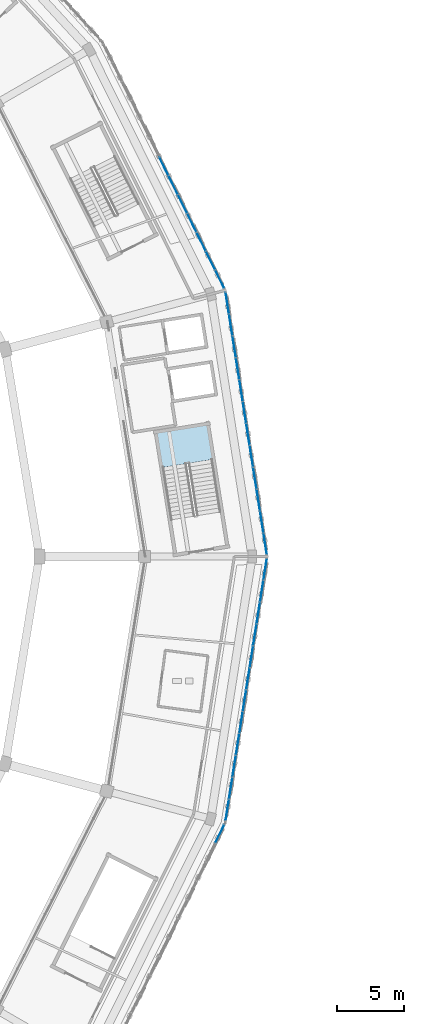
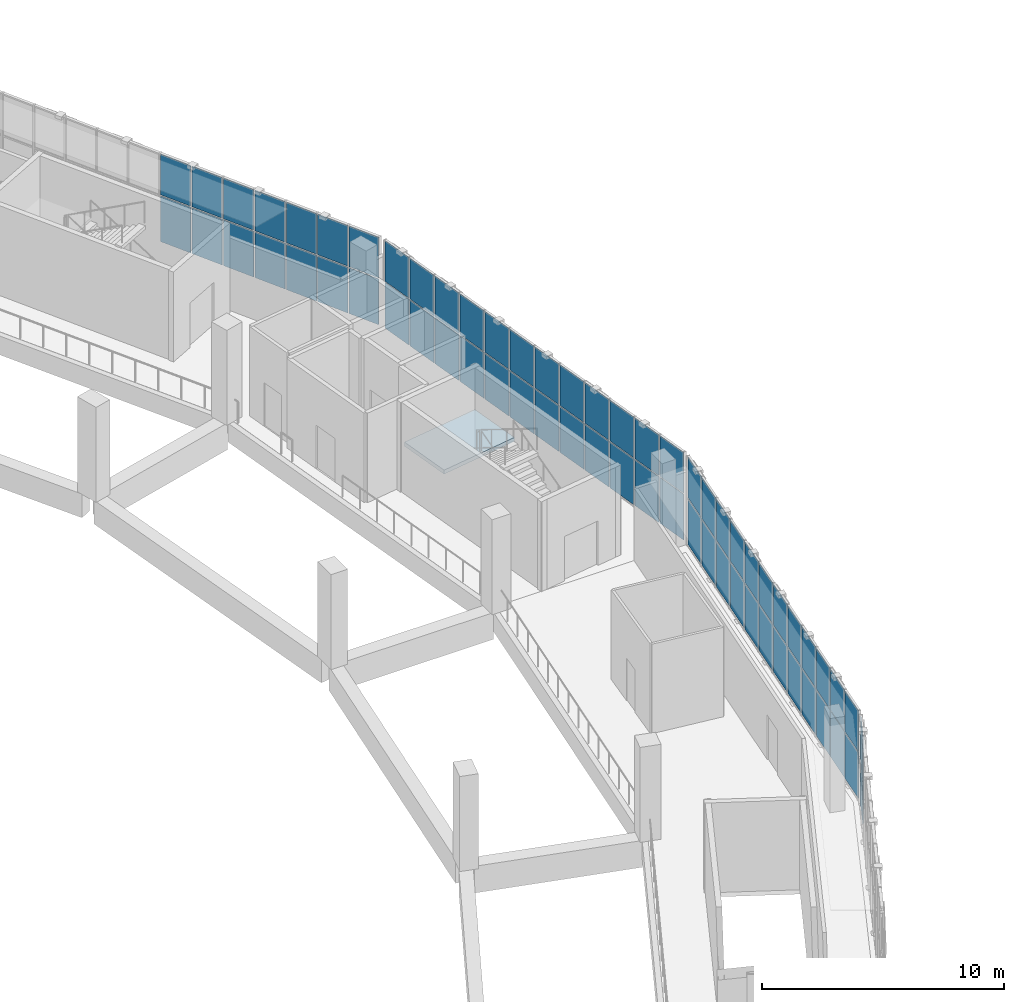
# One storey, part 58 of 108: 64 plates, 1 slab, 5 elements without a shape of their own.
"""IFC4 building model written with IfcOpenShell, lengths in metres."""

from ifc_helpers import new_model, si_unit, direction, frame, origin, origin_2d, place, context, subcontext, project, spatial, polyline, rectangle, outline, extrude, material, layer, layer_set, type_object, element, aggregate, save


model = new_model("IFC4")

# Units and contexts
model_context = context("Model", 3, precision=1e-05, world=origin(), true_north=direction((0.0, 1.0)))
body_context = subcontext(model_context, "Body", "Model", "MODEL_VIEW")
ifc_project = project(units=[si_unit("LENGTHUNIT", "METRE"), si_unit("AREAUNIT", "SQUARE_METRE"), si_unit("VOLUMEUNIT", "CUBIC_METRE"), si_unit("PLANEANGLEUNIT", "RADIAN"), si_unit("MASSUNIT", "GRAM", prefix="KILO")], contexts=[model_context])

# Site, building, storey
site_placement = place(None, origin())
site = spatial("IfcSite", under=ifc_project, at=site_placement, CompositionType="ELEMENT")
building_placement = place(site_placement, origin())
building = spatial("IfcBuilding", under=site, at=building_placement, Name="Zevraka Park Crest Stadium", CompositionType="ELEMENT")
storey_placement = place(building_placement, frame((0.0, 0.0, 19.800048828125)))
storey = spatial("IfcBuildingStorey", under=building, at=storey_placement, Name="L04", CompositionType="ELEMENT", Elevation=19.800048828125)

# Curtain wall, plates
ifc_material_1 = material(Name="Anodised architectural aluminium and laminated safety glass", Category="aluminium")
curtain_wall_type_1 = type_object("IfcCurtainWallType", Name="CW16", PredefinedType="NOTDEFINED", material=ifc_material_1)
curtain_wall_1_placement = place(storey_placement, origin())
curtain_wall_1 = element("IfcCurtainWall", 1, at=curtain_wall_1_placement, inside=storey, type_object=curtain_wall_type_1, Name="Unitised Ring Curtain Wall CW16 L04-00", PredefinedType="NOTDEFINED")
ifc_material_2 = material(Name="Solar-control laminated double glazing", Category="glass")
ifc_layer_1 = layer(ifc_material_2, 0.031982421875)
ifc_layer_set_1 = layer_set([ifc_layer_1], Name="Solar-control laminated double glazing")
plate_type_1 = type_object("IfcPlateType", Name="CP16", PredefinedType="CURTAIN_PANEL", material=ifc_layer_set_1)
plate_1_placement = place(storey_placement, frame((203.2685546875, 92.954345703125, 0.059814453125), z_axis=(0.0, 0.0, 1.0), x_axis=(-0.155539038066, 0.987829746281, 0.0)))
plate_1 = element("IfcPlate", 2, at=plate_1_placement, type_object=plate_type_1, Name="CW16 panel 1.1", PredefinedType="CURTAIN_PANEL", context=body_context, shape_type="SweptSolid", body=[
    extrude(rectangle(XDim=1.556884765625, YDim=0.031982421875, at=origin_2d()), origin(), (0.0, 0.0, 1.0), 2.31005859375),
])
plate_2_placement = place(storey_placement, frame((203.2685546875, 92.954345703125, 2.4296875), z_axis=(0.0, 0.0, 1.0), x_axis=(-0.155539038066, 0.987829746281, 0.0)))
plate_2 = element("IfcPlate", 3, at=plate_2_placement, type_object=plate_type_1, Name="CW16 panel 1.2", PredefinedType="CURTAIN_PANEL", context=body_context, shape_type="SweptSolid", body=[
    extrude(rectangle(XDim=1.556884765625, YDim=0.031982421875, at=origin_2d()), origin(), (0.0, 0.0, 1.0), 2.050048828125),
])
plate_3_placement = place(storey_placement, frame((203.0146484375, 94.56640625, 0.059814453125), z_axis=(0.0, 0.0, 1.0), x_axis=(-0.155539038066, 0.987829746281, 0.0)))
plate_3 = element("IfcPlate", 4, at=plate_3_placement, type_object=plate_type_1, Name="CW16 panel 2.1", PredefinedType="CURTAIN_PANEL", context=body_context, shape_type="SweptSolid", body=[
    extrude(rectangle(XDim=1.5869140625, YDim=0.031982421875, at=origin_2d()), origin(), (0.0, 0.0, 1.0), 2.31005859375),
])
plate_4_placement = place(storey_placement, frame((203.0146484375, 94.56640625, 2.4296875), z_axis=(0.0, 0.0, 1.0), x_axis=(-0.155539038066, 0.987829746281, 0.0)))
plate_4 = element("IfcPlate", 5, at=plate_4_placement, type_object=plate_type_1, Name="CW16 panel 2.2", PredefinedType="CURTAIN_PANEL", context=body_context, shape_type="SweptSolid", body=[
    extrude(rectangle(XDim=1.5869140625, YDim=0.031982421875, at=origin_2d()), origin(), (0.0, 0.0, 1.0), 2.050048828125),
])
plate_5_placement = place(storey_placement, frame((202.758544921875, 96.193359375, 0.059814453125), z_axis=(0.0, 0.0, 1.0), x_axis=(-0.155539038066, 0.987829746281, 0.0)))
plate_5 = element("IfcPlate", 6, at=plate_5_placement, type_object=plate_type_1, Name="CW16 panel 3.1", PredefinedType="CURTAIN_PANEL", context=body_context, shape_type="SweptSolid", body=[
    extrude(rectangle(XDim=1.5869140625, YDim=0.031982421875, at=origin_2d()), origin(), (0.0, 0.0, 1.0), 2.31005859375),
])
plate_6_placement = place(storey_placement, frame((202.758544921875, 96.193359375, 2.4296875), z_axis=(0.0, 0.0, 1.0), x_axis=(-0.155539038066, 0.987829746281, 0.0)))
plate_6 = element("IfcPlate", 7, at=plate_6_placement, type_object=plate_type_1, Name="CW16 panel 3.2", PredefinedType="CURTAIN_PANEL", context=body_context, shape_type="SweptSolid", body=[
    extrude(rectangle(XDim=1.5869140625, YDim=0.031982421875, at=origin_2d()), origin(), (0.0, 0.0, 1.0), 2.050048828125),
])
plate_7_placement = place(storey_placement, frame((202.50244140625, 97.8203125, 0.059814453125), z_axis=(0.0, 0.0, 1.0), x_axis=(-0.155539038066, 0.987829746281, 0.0)))
plate_7 = element("IfcPlate", 8, at=plate_7_placement, type_object=plate_type_1, Name="CW16 panel 4.1", PredefinedType="CURTAIN_PANEL", context=body_context, shape_type="SweptSolid", body=[
    extrude(rectangle(XDim=1.5869140625, YDim=0.031982421875, at=origin_2d()), origin(), (0.0, 0.0, 1.0), 2.31005859375),
])
plate_8_placement = place(storey_placement, frame((202.50244140625, 97.8203125, 2.4296875), z_axis=(0.0, 0.0, 1.0), x_axis=(-0.155539038066, 0.987829746281, 0.0)))
plate_8 = element("IfcPlate", 9, at=plate_8_placement, type_object=plate_type_1, Name="CW16 panel 4.2", PredefinedType="CURTAIN_PANEL", context=body_context, shape_type="SweptSolid", body=[
    extrude(rectangle(XDim=1.5869140625, YDim=0.031982421875, at=origin_2d()), origin(), (0.0, 0.0, 1.0), 2.050048828125),
])
plate_9_placement = place(storey_placement, frame((202.246337890625, 99.447021484375, 0.059814453125), z_axis=(0.0, 0.0, 1.0), x_axis=(-0.155539038066, 0.987829746281, 0.0)))
plate_9 = element("IfcPlate", 10, at=plate_9_placement, type_object=plate_type_1, Name="CW16 panel 5.1", PredefinedType="CURTAIN_PANEL", context=body_context, shape_type="SweptSolid", body=[
    extrude(rectangle(XDim=1.5869140625, YDim=0.031982421875, at=origin_2d()), origin(), (0.0, 0.0, 1.0), 2.31005859375),
])
plate_10_placement = place(storey_placement, frame((202.246337890625, 99.447021484375, 2.4296875), z_axis=(0.0, 0.0, 1.0), x_axis=(-0.155539038066, 0.987829746281, 0.0)))
plate_10 = element("IfcPlate", 11, at=plate_10_placement, type_object=plate_type_1, Name="CW16 panel 5.2", PredefinedType="CURTAIN_PANEL", context=body_context, shape_type="SweptSolid", body=[
    extrude(rectangle(XDim=1.5869140625, YDim=0.031982421875, at=origin_2d()), origin(), (0.0, 0.0, 1.0), 2.050048828125),
])
plate_11_placement = place(storey_placement, frame((201.989990234375, 101.073974609375, 0.059814453125), z_axis=(0.0, 0.0, 1.0), x_axis=(-0.155539038066, 0.987829746281, 0.0)))
plate_11 = element("IfcPlate", 12, at=plate_11_placement, type_object=plate_type_1, Name="CW16 panel 6.1", PredefinedType="CURTAIN_PANEL", context=body_context, shape_type="SweptSolid", body=[
    extrude(rectangle(XDim=1.5869140625, YDim=0.031982421875, at=origin_2d()), origin(), (0.0, 0.0, 1.0), 2.31005859375),
])
plate_12_placement = place(storey_placement, frame((201.989990234375, 101.073974609375, 2.4296875), z_axis=(0.0, 0.0, 1.0), x_axis=(-0.155539038066, 0.987829746281, 0.0)))
plate_12 = element("IfcPlate", 13, at=plate_12_placement, type_object=plate_type_1, Name="CW16 panel 6.2", PredefinedType="CURTAIN_PANEL", context=body_context, shape_type="SweptSolid", body=[
    extrude(rectangle(XDim=1.5869140625, YDim=0.031982421875, at=origin_2d()), origin(), (0.0, 0.0, 1.0), 2.050048828125),
])
plate_13_placement = place(storey_placement, frame((201.73388671875, 102.700927734375, 0.059814453125), z_axis=(0.0, 0.0, 1.0), x_axis=(-0.155539038066, 0.987829746281, 0.0)))
plate_13 = element("IfcPlate", 14, at=plate_13_placement, type_object=plate_type_1, Name="CW16 panel 7.1", PredefinedType="CURTAIN_PANEL", context=body_context, shape_type="SweptSolid", body=[
    extrude(rectangle(XDim=1.5869140625, YDim=0.031982421875, at=origin_2d()), origin(), (0.0, 0.0, 1.0), 2.31005859375),
])
plate_14_placement = place(storey_placement, frame((201.73388671875, 102.700927734375, 2.4296875), z_axis=(0.0, 0.0, 1.0), x_axis=(-0.155539038066, 0.987829746281, 0.0)))
plate_14 = element("IfcPlate", 15, at=plate_14_placement, type_object=plate_type_1, Name="CW16 panel 7.2", PredefinedType="CURTAIN_PANEL", context=body_context, shape_type="SweptSolid", body=[
    extrude(rectangle(XDim=1.5869140625, YDim=0.031982421875, at=origin_2d()), origin(), (0.0, 0.0, 1.0), 2.050048828125),
])
plate_15_placement = place(storey_placement, frame((201.477783203125, 104.327880859375, 0.059814453125), z_axis=(0.0, 0.0, 1.0), x_axis=(-0.155539038066, 0.987829746281, 0.0)))
plate_15 = element("IfcPlate", 16, at=plate_15_placement, type_object=plate_type_1, Name="CW16 panel 8.1", PredefinedType="CURTAIN_PANEL", context=body_context, shape_type="SweptSolid", body=[
    extrude(rectangle(XDim=1.5869140625, YDim=0.031982421875, at=origin_2d()), origin(), (0.0, 0.0, 1.0), 2.31005859375),
])
plate_16_placement = place(storey_placement, frame((201.477783203125, 104.327880859375, 2.4296875), z_axis=(0.0, 0.0, 1.0), x_axis=(-0.155539038066, 0.987829746281, 0.0)))
plate_16 = element("IfcPlate", 17, at=plate_16_placement, type_object=plate_type_1, Name="CW16 panel 8.2", PredefinedType="CURTAIN_PANEL", context=body_context, shape_type="SweptSolid", body=[
    extrude(rectangle(XDim=1.5869140625, YDim=0.031982421875, at=origin_2d()), origin(), (0.0, 0.0, 1.0), 2.050048828125),
])
plate_17_placement = place(storey_placement, frame((201.2216796875, 105.954833984375, 0.059814453125), z_axis=(0.0, 0.0, 1.0), x_axis=(-0.155539038066, 0.987829746281, 0.0)))
plate_17 = element("IfcPlate", 18, at=plate_17_placement, type_object=plate_type_1, Name="CW16 panel 9.1", PredefinedType="CURTAIN_PANEL", context=body_context, shape_type="SweptSolid", body=[
    extrude(rectangle(XDim=1.5869140625, YDim=0.031982421875, at=origin_2d()), origin(), (0.0, 0.0, 1.0), 2.31005859375),
])
plate_18_placement = place(storey_placement, frame((201.2216796875, 105.954833984375, 2.4296875), z_axis=(0.0, 0.0, 1.0), x_axis=(-0.155539038066, 0.987829746281, 0.0)))
plate_18 = element("IfcPlate", 19, at=plate_18_placement, type_object=plate_type_1, Name="CW16 panel 9.2", PredefinedType="CURTAIN_PANEL", context=body_context, shape_type="SweptSolid", body=[
    extrude(rectangle(XDim=1.5869140625, YDim=0.031982421875, at=origin_2d()), origin(), (0.0, 0.0, 1.0), 2.050048828125),
])
plate_19_placement = place(storey_placement, frame((200.96533203125, 107.581787109375, 0.059814453125), z_axis=(0.0, 0.0, 1.0), x_axis=(-0.155539038066, 0.987829746281, 0.0)))
plate_19 = element("IfcPlate", 20, at=plate_19_placement, type_object=plate_type_1, Name="CW16 panel 10.1", PredefinedType="CURTAIN_PANEL", context=body_context, shape_type="SweptSolid", body=[
    extrude(rectangle(XDim=1.5869140625, YDim=0.031982421875, at=origin_2d()), origin(), (0.0, 0.0, 1.0), 2.31005859375),
])
plate_20_placement = place(storey_placement, frame((200.96533203125, 107.581787109375, 2.4296875), z_axis=(0.0, 0.0, 1.0), x_axis=(-0.155539038066, 0.987829746281, 0.0)))
plate_20 = element("IfcPlate", 21, at=plate_20_placement, type_object=plate_type_1, Name="CW16 panel 10.2", PredefinedType="CURTAIN_PANEL", context=body_context, shape_type="SweptSolid", body=[
    extrude(rectangle(XDim=1.5869140625, YDim=0.031982421875, at=origin_2d()), origin(), (0.0, 0.0, 1.0), 2.050048828125),
])
plate_21_placement = place(storey_placement, frame((200.709228515625, 109.208740234375, 0.059814453125), z_axis=(0.0, 0.0, 1.0), x_axis=(-0.155539038066, 0.987829746281, 0.0)))
plate_21 = element("IfcPlate", 22, at=plate_21_placement, type_object=plate_type_1, Name="CW16 panel 11.1", PredefinedType="CURTAIN_PANEL", context=body_context, shape_type="SweptSolid", body=[
    extrude(rectangle(XDim=1.5869140625, YDim=0.031982421875, at=origin_2d()), origin(), (0.0, 0.0, 1.0), 2.31005859375),
])
plate_22_placement = place(storey_placement, frame((200.709228515625, 109.208740234375, 2.4296875), z_axis=(0.0, 0.0, 1.0), x_axis=(-0.155539038066, 0.987829746281, 0.0)))
plate_22 = element("IfcPlate", 23, at=plate_22_placement, type_object=plate_type_1, Name="CW16 panel 11.2", PredefinedType="CURTAIN_PANEL", context=body_context, shape_type="SweptSolid", body=[
    extrude(rectangle(XDim=1.5869140625, YDim=0.031982421875, at=origin_2d()), origin(), (0.0, 0.0, 1.0), 2.050048828125),
])
plate_23_placement = place(storey_placement, frame((200.455322265625, 110.82080078125, 0.059814453125), z_axis=(0.0, 0.0, 1.0), x_axis=(-0.155539038066, 0.987829746281, 0.0)))
plate_23 = element("IfcPlate", 24, at=plate_23_placement, type_object=plate_type_1, Name="CW16 panel 12.1", PredefinedType="CURTAIN_PANEL", context=body_context, shape_type="SweptSolid", body=[
    extrude(rectangle(XDim=1.556884765625, YDim=0.031982421875, at=origin_2d()), origin(), (0.0, 0.0, 1.0), 2.31005859375),
])
plate_24_placement = place(storey_placement, frame((200.455322265625, 110.82080078125, 2.4296875), z_axis=(0.0, 0.0, 1.0), x_axis=(-0.155539038066, 0.987829746281, 0.0)))
plate_24 = element("IfcPlate", 25, at=plate_24_placement, type_object=plate_type_1, Name="CW16 panel 12.2", PredefinedType="CURTAIN_PANEL", context=body_context, shape_type="SweptSolid", body=[
    extrude(rectangle(XDim=1.556884765625, YDim=0.031982421875, at=origin_2d()), origin(), (0.0, 0.0, 1.0), 2.050048828125),
])
aggregate(curtain_wall_1, [plate_1, plate_2, plate_3, plate_4, plate_5, plate_6, plate_7, plate_8, plate_9, plate_10, plate_11, plate_12, plate_13, plate_14, plate_15, plate_16, plate_17, plate_18, plate_19, plate_20, plate_21, plate_22, plate_23, plate_24])

curtain_wall_2_placement = place(storey_placement, origin())
curtain_wall_2 = element("IfcCurtainWall", 26, at=curtain_wall_2_placement, inside=storey, type_object=curtain_wall_type_1, Name="Unitised Ring Curtain Wall CW16 L04-23", PredefinedType="NOTDEFINED")
plate_25_placement = place(storey_placement, frame((200.455322265625, 73.17919921875, 0.059814453125), z_axis=(0.0, 0.0, 1.0), x_axis=(0.155539038066, 0.987829746281, 0.0)))
plate_25 = element("IfcPlate", 27, at=plate_25_placement, type_object=plate_type_1, Name="CW16 panel 1.1", PredefinedType="CURTAIN_PANEL", context=body_context, shape_type="SweptSolid", body=[
    extrude(rectangle(XDim=1.556884765625, YDim=0.031982421875, at=origin_2d()), origin(), (0.0, 0.0, 1.0), 2.31005859375),
])
plate_26_placement = place(storey_placement, frame((200.455322265625, 73.17919921875, 2.4296875), z_axis=(0.0, 0.0, 1.0), x_axis=(0.155539038066, 0.987829746281, 0.0)))
plate_26 = element("IfcPlate", 28, at=plate_26_placement, type_object=plate_type_1, Name="CW16 panel 1.2", PredefinedType="CURTAIN_PANEL", context=body_context, shape_type="SweptSolid", body=[
    extrude(rectangle(XDim=1.556884765625, YDim=0.031982421875, at=origin_2d()), origin(), (0.0, 0.0, 1.0), 2.050048828125),
])
plate_27_placement = place(storey_placement, frame((200.709228515625, 74.791259765625, 0.059814453125), z_axis=(0.0, 0.0, 1.0), x_axis=(0.155539038066, 0.987829746281, 0.0)))
plate_27 = element("IfcPlate", 29, at=plate_27_placement, type_object=plate_type_1, Name="CW16 panel 2.1", PredefinedType="CURTAIN_PANEL", context=body_context, shape_type="SweptSolid", body=[
    extrude(rectangle(XDim=1.5869140625, YDim=0.031982421875, at=origin_2d()), origin(), (0.0, 0.0, 1.0), 2.31005859375),
])
plate_28_placement = place(storey_placement, frame((200.709228515625, 74.791259765625, 2.4296875), z_axis=(0.0, 0.0, 1.0), x_axis=(0.155539038066, 0.987829746281, 0.0)))
plate_28 = element("IfcPlate", 30, at=plate_28_placement, type_object=plate_type_1, Name="CW16 panel 2.2", PredefinedType="CURTAIN_PANEL", context=body_context, shape_type="SweptSolid", body=[
    extrude(rectangle(XDim=1.5869140625, YDim=0.031982421875, at=origin_2d()), origin(), (0.0, 0.0, 1.0), 2.050048828125),
])
plate_29_placement = place(storey_placement, frame((200.96533203125, 76.418212890625, 0.059814453125), z_axis=(0.0, 0.0, 1.0), x_axis=(0.155539038066, 0.987829746281, 0.0)))
plate_29 = element("IfcPlate", 31, at=plate_29_placement, type_object=plate_type_1, Name="CW16 panel 3.1", PredefinedType="CURTAIN_PANEL", context=body_context, shape_type="SweptSolid", body=[
    extrude(rectangle(XDim=1.5869140625, YDim=0.031982421875, at=origin_2d()), origin(), (0.0, 0.0, 1.0), 2.31005859375),
])
plate_30_placement = place(storey_placement, frame((200.96533203125, 76.418212890625, 2.4296875), z_axis=(0.0, 0.0, 1.0), x_axis=(0.155539038066, 0.987829746281, 0.0)))
plate_30 = element("IfcPlate", 32, at=plate_30_placement, type_object=plate_type_1, Name="CW16 panel 3.2", PredefinedType="CURTAIN_PANEL", context=body_context, shape_type="SweptSolid", body=[
    extrude(rectangle(XDim=1.5869140625, YDim=0.031982421875, at=origin_2d()), origin(), (0.0, 0.0, 1.0), 2.050048828125),
])
plate_31_placement = place(storey_placement, frame((201.2216796875, 78.045166015625, 0.059814453125), z_axis=(0.0, 0.0, 1.0), x_axis=(0.155539038066, 0.987829746281, 0.0)))
plate_31 = element("IfcPlate", 33, at=plate_31_placement, type_object=plate_type_1, Name="CW16 panel 4.1", PredefinedType="CURTAIN_PANEL", context=body_context, shape_type="SweptSolid", body=[
    extrude(rectangle(XDim=1.5869140625, YDim=0.031982421875, at=origin_2d()), origin(), (0.0, 0.0, 1.0), 2.31005859375),
])
plate_32_placement = place(storey_placement, frame((201.2216796875, 78.045166015625, 2.4296875), z_axis=(0.0, 0.0, 1.0), x_axis=(0.155539038066, 0.987829746281, 0.0)))
plate_32 = element("IfcPlate", 34, at=plate_32_placement, type_object=plate_type_1, Name="CW16 panel 4.2", PredefinedType="CURTAIN_PANEL", context=body_context, shape_type="SweptSolid", body=[
    extrude(rectangle(XDim=1.5869140625, YDim=0.031982421875, at=origin_2d()), origin(), (0.0, 0.0, 1.0), 2.050048828125),
])
plate_33_placement = place(storey_placement, frame((201.477783203125, 79.672119140625, 0.059814453125), z_axis=(0.0, 0.0, 1.0), x_axis=(0.155539038066, 0.987829746281, 0.0)))
plate_33 = element("IfcPlate", 35, at=plate_33_placement, type_object=plate_type_1, Name="CW16 panel 5.1", PredefinedType="CURTAIN_PANEL", context=body_context, shape_type="SweptSolid", body=[
    extrude(rectangle(XDim=1.5869140625, YDim=0.031982421875, at=origin_2d()), origin(), (0.0, 0.0, 1.0), 2.31005859375),
])
plate_34_placement = place(storey_placement, frame((201.477783203125, 79.672119140625, 2.4296875), z_axis=(0.0, 0.0, 1.0), x_axis=(0.155539038066, 0.987829746281, 0.0)))
plate_34 = element("IfcPlate", 36, at=plate_34_placement, type_object=plate_type_1, Name="CW16 panel 5.2", PredefinedType="CURTAIN_PANEL", context=body_context, shape_type="SweptSolid", body=[
    extrude(rectangle(XDim=1.5869140625, YDim=0.031982421875, at=origin_2d()), origin(), (0.0, 0.0, 1.0), 2.050048828125),
])
plate_35_placement = place(storey_placement, frame((201.73388671875, 81.299072265625, 0.059814453125), z_axis=(0.0, 0.0, 1.0), x_axis=(0.155539038066, 0.987829746281, 0.0)))
plate_35 = element("IfcPlate", 37, at=plate_35_placement, type_object=plate_type_1, Name="CW16 panel 6.1", PredefinedType="CURTAIN_PANEL", context=body_context, shape_type="SweptSolid", body=[
    extrude(rectangle(XDim=1.5869140625, YDim=0.031982421875, at=origin_2d()), origin(), (0.0, 0.0, 1.0), 2.31005859375),
])
plate_36_placement = place(storey_placement, frame((201.73388671875, 81.299072265625, 2.4296875), z_axis=(0.0, 0.0, 1.0), x_axis=(0.155539038066, 0.987829746281, 0.0)))
plate_36 = element("IfcPlate", 38, at=plate_36_placement, type_object=plate_type_1, Name="CW16 panel 6.2", PredefinedType="CURTAIN_PANEL", context=body_context, shape_type="SweptSolid", body=[
    extrude(rectangle(XDim=1.5869140625, YDim=0.031982421875, at=origin_2d()), origin(), (0.0, 0.0, 1.0), 2.050048828125),
])
plate_37_placement = place(storey_placement, frame((201.989990234375, 82.926025390625, 0.059814453125), z_axis=(0.0, 0.0, 1.0), x_axis=(0.155539038066, 0.987829746281, 0.0)))
plate_37 = element("IfcPlate", 39, at=plate_37_placement, type_object=plate_type_1, Name="CW16 panel 7.1", PredefinedType="CURTAIN_PANEL", context=body_context, shape_type="SweptSolid", body=[
    extrude(rectangle(XDim=1.5869140625, YDim=0.031982421875, at=origin_2d()), origin(), (0.0, 0.0, 1.0), 2.31005859375),
])
plate_38_placement = place(storey_placement, frame((201.989990234375, 82.926025390625, 2.4296875), z_axis=(0.0, 0.0, 1.0), x_axis=(0.155539038066, 0.987829746281, 0.0)))
plate_38 = element("IfcPlate", 40, at=plate_38_placement, type_object=plate_type_1, Name="CW16 panel 7.2", PredefinedType="CURTAIN_PANEL", context=body_context, shape_type="SweptSolid", body=[
    extrude(rectangle(XDim=1.5869140625, YDim=0.031982421875, at=origin_2d()), origin(), (0.0, 0.0, 1.0), 2.050048828125),
])
plate_39_placement = place(storey_placement, frame((202.246337890625, 84.552978515625, 0.059814453125), z_axis=(0.0, 0.0, 1.0), x_axis=(0.155539038066, 0.987829746281, 0.0)))
plate_39 = element("IfcPlate", 41, at=plate_39_placement, type_object=plate_type_1, Name="CW16 panel 8.1", PredefinedType="CURTAIN_PANEL", context=body_context, shape_type="SweptSolid", body=[
    extrude(rectangle(XDim=1.5869140625, YDim=0.031982421875, at=origin_2d()), origin(), (0.0, 0.0, 1.0), 2.31005859375),
])
plate_40_placement = place(storey_placement, frame((202.246337890625, 84.552978515625, 2.4296875), z_axis=(0.0, 0.0, 1.0), x_axis=(0.155539038066, 0.987829746281, 0.0)))
plate_40 = element("IfcPlate", 42, at=plate_40_placement, type_object=plate_type_1, Name="CW16 panel 8.2", PredefinedType="CURTAIN_PANEL", context=body_context, shape_type="SweptSolid", body=[
    extrude(rectangle(XDim=1.5869140625, YDim=0.031982421875, at=origin_2d()), origin(), (0.0, 0.0, 1.0), 2.050048828125),
])
plate_41_placement = place(storey_placement, frame((202.50244140625, 86.1796875, 0.059814453125), z_axis=(0.0, 0.0, 1.0), x_axis=(0.155539038066, 0.987829746281, 0.0)))
plate_41 = element("IfcPlate", 43, at=plate_41_placement, type_object=plate_type_1, Name="CW16 panel 9.1", PredefinedType="CURTAIN_PANEL", context=body_context, shape_type="SweptSolid", body=[
    extrude(rectangle(XDim=1.5869140625, YDim=0.031982421875, at=origin_2d()), origin(), (0.0, 0.0, 1.0), 2.31005859375),
])
plate_42_placement = place(storey_placement, frame((202.50244140625, 86.1796875, 2.4296875), z_axis=(0.0, 0.0, 1.0), x_axis=(0.155539038066, 0.987829746281, 0.0)))
plate_42 = element("IfcPlate", 44, at=plate_42_placement, type_object=plate_type_1, Name="CW16 panel 9.2", PredefinedType="CURTAIN_PANEL", context=body_context, shape_type="SweptSolid", body=[
    extrude(rectangle(XDim=1.5869140625, YDim=0.031982421875, at=origin_2d()), origin(), (0.0, 0.0, 1.0), 2.050048828125),
])
plate_43_placement = place(storey_placement, frame((202.758544921875, 87.806640625, 0.059814453125), z_axis=(0.0, 0.0, 1.0), x_axis=(0.155539038066, 0.987829746281, 0.0)))
plate_43 = element("IfcPlate", 45, at=plate_43_placement, type_object=plate_type_1, Name="CW16 panel 10.1", PredefinedType="CURTAIN_PANEL", context=body_context, shape_type="SweptSolid", body=[
    extrude(rectangle(XDim=1.5869140625, YDim=0.031982421875, at=origin_2d()), origin(), (0.0, 0.0, 1.0), 2.31005859375),
])
plate_44_placement = place(storey_placement, frame((202.758544921875, 87.806640625, 2.4296875), z_axis=(0.0, 0.0, 1.0), x_axis=(0.155539038066, 0.987829746281, 0.0)))
plate_44 = element("IfcPlate", 46, at=plate_44_placement, type_object=plate_type_1, Name="CW16 panel 10.2", PredefinedType="CURTAIN_PANEL", context=body_context, shape_type="SweptSolid", body=[
    extrude(rectangle(XDim=1.5869140625, YDim=0.031982421875, at=origin_2d()), origin(), (0.0, 0.0, 1.0), 2.050048828125),
])
plate_45_placement = place(storey_placement, frame((203.0146484375, 89.43359375, 0.059814453125), z_axis=(0.0, 0.0, 1.0), x_axis=(0.155539038066, 0.987829746281, 0.0)))
plate_45 = element("IfcPlate", 47, at=plate_45_placement, type_object=plate_type_1, Name="CW16 panel 11.1", PredefinedType="CURTAIN_PANEL", context=body_context, shape_type="SweptSolid", body=[
    extrude(rectangle(XDim=1.5869140625, YDim=0.031982421875, at=origin_2d()), origin(), (0.0, 0.0, 1.0), 2.31005859375),
])
plate_46_placement = place(storey_placement, frame((203.0146484375, 89.43359375, 2.4296875), z_axis=(0.0, 0.0, 1.0), x_axis=(0.155539038066, 0.987829746281, 0.0)))
plate_46 = element("IfcPlate", 48, at=plate_46_placement, type_object=plate_type_1, Name="CW16 panel 11.2", PredefinedType="CURTAIN_PANEL", context=body_context, shape_type="SweptSolid", body=[
    extrude(rectangle(XDim=1.5869140625, YDim=0.031982421875, at=origin_2d()), origin(), (0.0, 0.0, 1.0), 2.050048828125),
])
plate_47_placement = place(storey_placement, frame((203.2685546875, 91.045654296875, 0.059814453125), z_axis=(0.0, 0.0, 1.0), x_axis=(0.155539038066, 0.987829746281, 0.0)))
plate_47 = element("IfcPlate", 49, at=plate_47_placement, type_object=plate_type_1, Name="CW16 panel 12.1", PredefinedType="CURTAIN_PANEL", context=body_context, shape_type="SweptSolid", body=[
    extrude(rectangle(XDim=1.556884765625, YDim=0.031982421875, at=origin_2d()), origin(), (0.0, 0.0, 1.0), 2.31005859375),
])
plate_48_placement = place(storey_placement, frame((203.2685546875, 91.045654296875, 2.4296875), z_axis=(0.0, 0.0, 1.0), x_axis=(0.155539038066, 0.987829746281, 0.0)))
plate_48 = element("IfcPlate", 50, at=plate_48_placement, type_object=plate_type_1, Name="CW16 panel 12.2", PredefinedType="CURTAIN_PANEL", context=body_context, shape_type="SweptSolid", body=[
    extrude(rectangle(XDim=1.556884765625, YDim=0.031982421875, at=origin_2d()), origin(), (0.0, 0.0, 1.0), 2.050048828125),
])
aggregate(curtain_wall_2, [plate_25, plate_26, plate_27, plate_28, plate_29, plate_30, plate_31, plate_32, plate_33, plate_34, plate_35, plate_36, plate_37, plate_38, plate_39, plate_40, plate_41, plate_42, plate_43, plate_44, plate_45, plate_46, plate_47, plate_48])

ifc_material_3 = material(Name="Anodised architectural aluminium and laminated safety glass", Category="aluminium")
curtain_wall_type_2 = type_object("IfcCurtainWallType", Name="CW17", PredefinedType="NOTDEFINED", material=ifc_material_3)
curtain_wall_3_placement = place(storey_placement, origin())
curtain_wall_3 = element("IfcCurtainWall", 51, at=curtain_wall_3_placement, inside=storey, type_object=curtain_wall_type_2, Name="Unitised Ring Curtain Wall CW17 L04-01", PredefinedType="NOTDEFINED")
ifc_material_4 = material(Name="Solar-control laminated double glazing", Category="glass")
ifc_layer_2 = layer(ifc_material_4, 0.031982421875)
ifc_layer_set_2 = layer_set([ifc_layer_2], Name="Solar-control laminated double glazing")
plate_type_2 = type_object("IfcPlateType", Name="CP17", PredefinedType="CURTAIN_PANEL", material=ifc_layer_set_2)
plate_49_placement = place(storey_placement, frame((199.89404296875, 112.6044921875, 0.06494140625), z_axis=(0.0, 0.0, 1.0), x_axis=(-0.443961067545, 0.896046076106, 0.0)))
plate_49 = element("IfcPlate", 52, at=plate_49_placement, type_object=plate_type_2, Name="CW17 panel 1.1", PredefinedType="CURTAIN_PANEL", context=body_context, shape_type="SweptSolid", body=[
    extrude(rectangle(XDim=1.46484375, YDim=0.031982421875, at=origin_2d()), origin(), (0.0, 0.0, 1.0), 2.302490234375),
])
plate_50_placement = place(storey_placement, frame((199.89404296875, 112.6044921875, 2.432373046875), z_axis=(0.0, 0.0, 1.0), x_axis=(-0.443961067545, 0.896046076106, 0.0)))
plate_50 = element("IfcPlate", 53, at=plate_50_placement, type_object=plate_type_2, Name="CW17 panel 1.2", PredefinedType="CURTAIN_PANEL", context=body_context, shape_type="SweptSolid", body=[
    extrude(rectangle(XDim=1.46484375, YDim=0.031982421875, at=origin_2d()), origin(), (0.0, 0.0, 1.0), 2.04248046875),
])
plate_51_placement = place(storey_placement, frame((199.20751953125, 113.989990234375, 0.06494140625), z_axis=(0.0, 0.0, 1.0), x_axis=(-0.443961067545, 0.896046076106, 0.0)))
plate_51 = element("IfcPlate", 54, at=plate_51_placement, type_object=plate_type_2, Name="CW17 panel 2.1", PredefinedType="CURTAIN_PANEL", context=body_context, shape_type="SweptSolid", body=[
    extrude(rectangle(XDim=1.497314453125, YDim=0.031982421875, at=origin_2d()), origin(), (0.0, 0.0, 1.0), 2.302490234375),
])
plate_52_placement = place(storey_placement, frame((199.20751953125, 113.989990234375, 2.432373046875), z_axis=(0.0, 0.0, 1.0), x_axis=(-0.443961067545, 0.896046076106, 0.0)))
plate_52 = element("IfcPlate", 55, at=plate_52_placement, type_object=plate_type_2, Name="CW17 panel 2.2", PredefinedType="CURTAIN_PANEL", context=body_context, shape_type="SweptSolid", body=[
    extrude(rectangle(XDim=1.497314453125, YDim=0.031982421875, at=origin_2d()), origin(), (0.0, 0.0, 1.0), 2.04248046875),
])
plate_53_placement = place(storey_placement, frame((198.513916015625, 115.389892578125, 0.06494140625), z_axis=(0.0, 0.0, 1.0), x_axis=(-0.443961067545, 0.896046076106, 0.0)))
plate_53 = element("IfcPlate", 56, at=plate_53_placement, type_object=plate_type_2, Name="CW17 panel 3.1", PredefinedType="CURTAIN_PANEL", context=body_context, shape_type="SweptSolid", body=[
    extrude(rectangle(XDim=1.497314453125, YDim=0.031982421875, at=origin_2d()), origin(), (0.0, 0.0, 1.0), 2.302490234375),
])
plate_54_placement = place(storey_placement, frame((198.513916015625, 115.389892578125, 2.432373046875), z_axis=(0.0, 0.0, 1.0), x_axis=(-0.443961067545, 0.896046076106, 0.0)))
plate_54 = element("IfcPlate", 57, at=plate_54_placement, type_object=plate_type_2, Name="CW17 panel 3.2", PredefinedType="CURTAIN_PANEL", context=body_context, shape_type="SweptSolid", body=[
    extrude(rectangle(XDim=1.497314453125, YDim=0.031982421875, at=origin_2d()), origin(), (0.0, 0.0, 1.0), 2.04248046875),
])
plate_55_placement = place(storey_placement, frame((197.8203125, 116.789794921875, 0.06494140625), z_axis=(0.0, 0.0, 1.0), x_axis=(-0.443961067545, 0.896046076106, 0.0)))
plate_55 = element("IfcPlate", 58, at=plate_55_placement, type_object=plate_type_2, Name="CW17 panel 4.1", PredefinedType="CURTAIN_PANEL", context=body_context, shape_type="SweptSolid", body=[
    extrude(rectangle(XDim=1.497314453125, YDim=0.031982421875, at=origin_2d()), origin(), (0.0, 0.0, 1.0), 2.302490234375),
])
plate_56_placement = place(storey_placement, frame((197.8203125, 116.789794921875, 2.432373046875), z_axis=(0.0, 0.0, 1.0), x_axis=(-0.443961067545, 0.896046076106, 0.0)))
plate_56 = element("IfcPlate", 59, at=plate_56_placement, type_object=plate_type_2, Name="CW17 panel 4.2", PredefinedType="CURTAIN_PANEL", context=body_context, shape_type="SweptSolid", body=[
    extrude(rectangle(XDim=1.497314453125, YDim=0.031982421875, at=origin_2d()), origin(), (0.0, 0.0, 1.0), 2.04248046875),
])
plate_57_placement = place(storey_placement, frame((197.126708984375, 118.189697265625, 0.06494140625), z_axis=(0.0, 0.0, 1.0), x_axis=(-0.443961067545, 0.896046076106, 0.0)))
plate_57 = element("IfcPlate", 60, at=plate_57_placement, type_object=plate_type_2, Name="CW17 panel 5.1", PredefinedType="CURTAIN_PANEL", context=body_context, shape_type="SweptSolid", body=[
    extrude(rectangle(XDim=1.497314453125, YDim=0.031982421875, at=origin_2d()), origin(), (0.0, 0.0, 1.0), 2.302490234375),
])
plate_58_placement = place(storey_placement, frame((197.126708984375, 118.189697265625, 2.432373046875), z_axis=(0.0, 0.0, 1.0), x_axis=(-0.443961067545, 0.896046076106, 0.0)))
plate_58 = element("IfcPlate", 61, at=plate_58_placement, type_object=plate_type_2, Name="CW17 panel 5.2", PredefinedType="CURTAIN_PANEL", context=body_context, shape_type="SweptSolid", body=[
    extrude(rectangle(XDim=1.497314453125, YDim=0.031982421875, at=origin_2d()), origin(), (0.0, 0.0, 1.0), 2.04248046875),
])
plate_59_placement = place(storey_placement, frame((196.43310546875, 119.589599609375, 0.06494140625), z_axis=(0.0, 0.0, 1.0), x_axis=(-0.443961067545, 0.896046076106, 0.0)))
plate_59 = element("IfcPlate", 62, at=plate_59_placement, type_object=plate_type_2, Name="CW17 panel 6.1", PredefinedType="CURTAIN_PANEL", context=body_context, shape_type="SweptSolid", body=[
    extrude(rectangle(XDim=1.497314453125, YDim=0.031982421875, at=origin_2d()), origin(), (0.0, 0.0, 1.0), 2.302490234375),
])
plate_60_placement = place(storey_placement, frame((196.43310546875, 119.589599609375, 2.432373046875), z_axis=(0.0, 0.0, 1.0), x_axis=(-0.443961067545, 0.896046076106, 0.0)))
plate_60 = element("IfcPlate", 63, at=plate_60_placement, type_object=plate_type_2, Name="CW17 panel 6.2", PredefinedType="CURTAIN_PANEL", context=body_context, shape_type="SweptSolid", body=[
    extrude(rectangle(XDim=1.497314453125, YDim=0.031982421875, at=origin_2d()), origin(), (0.0, 0.0, 1.0), 2.04248046875),
])
plate_61_placement = place(storey_placement, frame((195.739501953125, 120.989501953125, 0.06494140625), z_axis=(0.0, 0.0, 1.0), x_axis=(-0.443961067545, 0.896046076106, 0.0)))
plate_61 = element("IfcPlate", 64, at=plate_61_placement, type_object=plate_type_2, Name="CW17 panel 7.1", PredefinedType="CURTAIN_PANEL", context=body_context, shape_type="SweptSolid", body=[
    extrude(rectangle(XDim=1.497314453125, YDim=0.031982421875, at=origin_2d()), origin(), (0.0, 0.0, 1.0), 2.302490234375),
])
plate_62_placement = place(storey_placement, frame((195.739501953125, 120.989501953125, 2.432373046875), z_axis=(0.0, 0.0, 1.0), x_axis=(-0.443961067545, 0.896046076106, 0.0)))
plate_62 = element("IfcPlate", 65, at=plate_62_placement, type_object=plate_type_2, Name="CW17 panel 7.2", PredefinedType="CURTAIN_PANEL", context=body_context, shape_type="SweptSolid", body=[
    extrude(rectangle(XDim=1.497314453125, YDim=0.031982421875, at=origin_2d()), origin(), (0.0, 0.0, 1.0), 2.04248046875),
])
aggregate(curtain_wall_3, [plate_49, plate_50, plate_51, plate_52, plate_53, plate_54, plate_55, plate_56, plate_57, plate_58, plate_59, plate_60, plate_61, plate_62])

curtain_wall_4_placement = place(storey_placement, origin())
curtain_wall_4 = element("IfcCurtainWall", 66, at=curtain_wall_4_placement, inside=storey, type_object=curtain_wall_type_2, Name="Unitised Ring Curtain Wall CW17 L04-22", PredefinedType="NOTDEFINED")
plate_63_placement = place(storey_placement, frame((199.89404296875, 71.3955078125, 0.06494140625), z_axis=(0.0, 0.0, 1.0), x_axis=(0.443961067545, 0.896046076106, 0.0)))
plate_63 = element("IfcPlate", 67, at=plate_63_placement, type_object=plate_type_2, Name="CW17 panel 13.1", PredefinedType="CURTAIN_PANEL", context=body_context, shape_type="SweptSolid", body=[
    extrude(rectangle(XDim=1.46484375, YDim=0.031982421875, at=origin_2d()), origin(), (0.0, 0.0, 1.0), 2.302490234375),
])
plate_64_placement = place(storey_placement, frame((199.89404296875, 71.3955078125, 2.432373046875), z_axis=(0.0, 0.0, 1.0), x_axis=(0.443961067545, 0.896046076106, 0.0)))
plate_64 = element("IfcPlate", 68, at=plate_64_placement, type_object=plate_type_2, Name="CW17 panel 13.2", PredefinedType="CURTAIN_PANEL", context=body_context, shape_type="SweptSolid", body=[
    extrude(rectangle(XDim=1.46484375, YDim=0.031982421875, at=origin_2d()), origin(), (0.0, 0.0, 1.0), 2.04248046875),
])
aggregate(curtain_wall_4, [plate_63, plate_64])

# Stair, slab
ifc_material_5 = material(Name="Concrete C35/45", Category="concrete")
stair_type = type_object("IfcStairType", Name="STA2", PredefinedType="HALF_TURN_STAIR", material=ifc_material_5)
stair_placement = place(storey_placement, origin())
stair = element("IfcStair", 69, at=stair_placement, inside=storey, type_object=stair_type, Name="L04 Protected Concourse Exit Stair ST01", PredefinedType="HALF_TURN_STAIR")
ifc_material_6 = material(Name="Concrete C35/45", Category="concrete")
ifc_layer_3 = layer(ifc_material_6, 0.199951171875)
ifc_layer_set_3 = layer_set([ifc_layer_3], Name="Concrete C35/45")
slab_type = type_object("IfcSlabType", Name="LS01", PredefinedType="LANDING", material=ifc_layer_set_3)
slab_placement = place(storey_placement, frame((0.0, 0.0, 2.199951171875)))
slab = element("IfcSlab", 70, at=slab_placement, type_object=slab_type, Name="ST01 landing 1", PredefinedType="LANDING", context=body_context, shape_type="SweptSolid", body=[
    extrude(outline(polyline([(199.355224609375, 99.205810546875), (198.94482421875, 101.783447265625), (195.2314453125, 101.192138671875), (195.64208984375, 98.614501953125), (199.355224609375, 99.205810546875)])), origin(), (0.0, 0.0, 1.0), 0.199951171875),
])
aggregate(stair, [slab])

save(model, "model.ifc")
